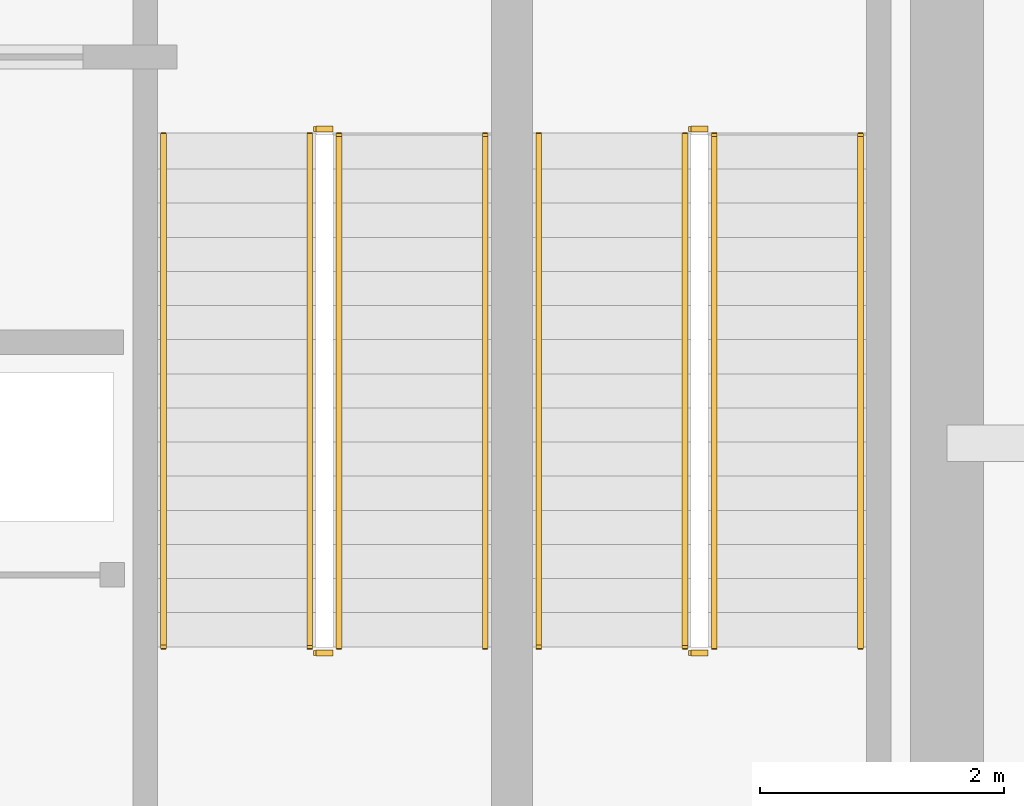
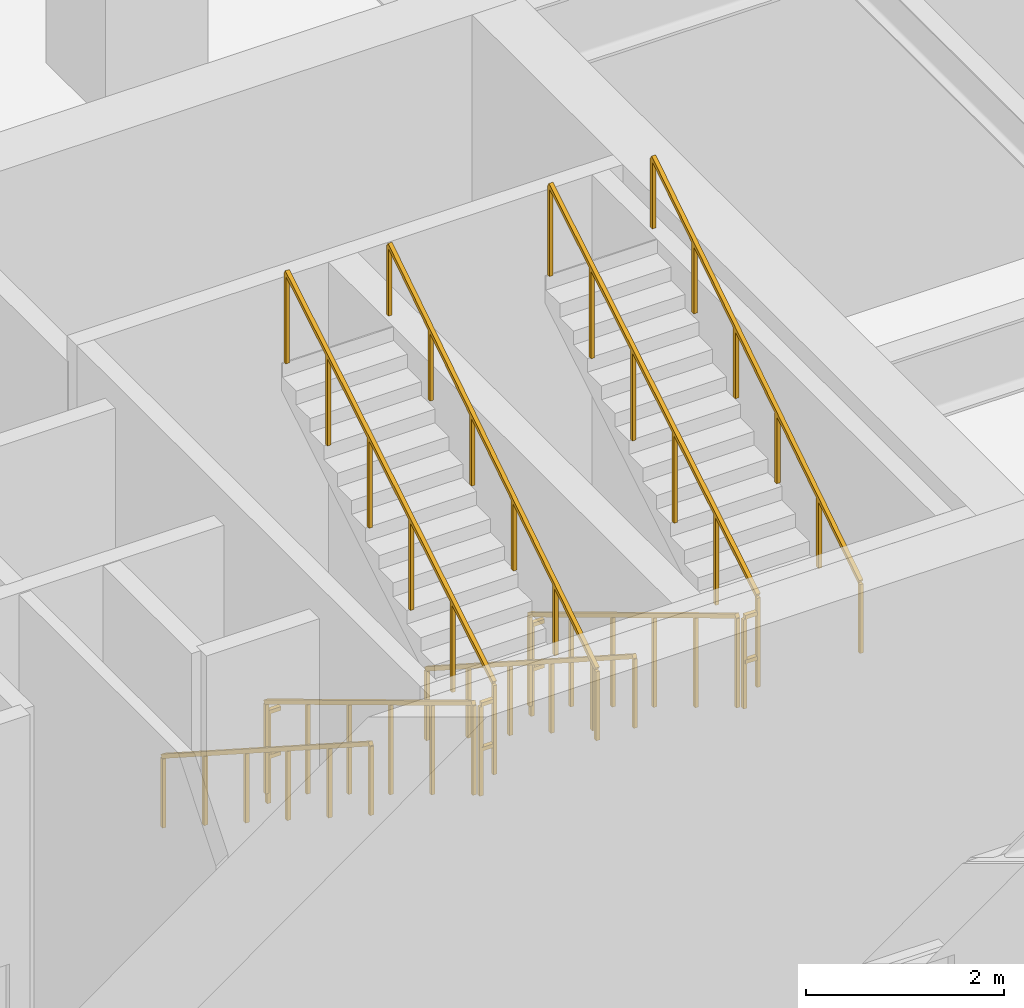
# One storey, part 22 of 24: 12 railings.
"""IFC4 building model written with IfcOpenShell, lengths in metres."""

from ifc_helpers import new_model, si_unit, derived_unit, direction, frame, origin, origin_2d, place, context, subcontext, project, spatial, rectangle, extrude, material, type_object, element, save


model = new_model("IFC4")

# Units and contexts
model_context = context("Model", 3, precision=1e-05, world=origin(), true_north=direction((0.0, 1.0)))
body_context = subcontext(model_context, "Body", "Model", "MODEL_VIEW")
ifc_project = project(units=[si_unit("LENGTHUNIT", "METRE"), si_unit("AREAUNIT", "SQUARE_METRE"), si_unit("VOLUMEUNIT", "CUBIC_METRE"), si_unit("PLANEANGLEUNIT", "RADIAN"), si_unit("MASSUNIT", "GRAM", prefix="KILO"), si_unit("THERMODYNAMICTEMPERATUREUNIT", "KELVIN"), si_unit("POWERUNIT", "WATT"), derived_unit("THERMALTRANSMITTANCEUNIT", [(si_unit("POWERUNIT", "WATT"), 1), (si_unit("AREAUNIT", "SQUARE_METRE"), -1), (si_unit("THERMODYNAMICTEMPERATUREUNIT", "KELVIN"), -1)])], contexts=[model_context])

# Site, building, storey
site_placement = place(None, origin())
site = spatial("IfcSite", under=ifc_project, at=site_placement, CompositionType="ELEMENT")
building_placement = place(site_placement, origin())
building = spatial("IfcBuilding", under=site, at=building_placement, Name="Zahravan Archway Hotel and Residences", CompositionType="ELEMENT")
storey_placement = place(building_placement, frame((0.0, 0.0, 10.800048828125)))
storey = spatial("IfcBuildingStorey", under=building, at=storey_placement, Name="L02", CompositionType="ELEMENT", Elevation=10.800048828125)

# Railings
ifc_material_1 = material(Name="Painted Tubular Steel", Category="steel")
railing_type_1 = type_object("IfcRailingType", Name="RL-STG-1150", PredefinedType="GUARDRAIL", material=ifc_material_1)
railing_1_placement = place(storey_placement, frame((44.570068359375, 9.72998046875, 0.168701171875)))
element("IfcRailing", 1, at=railing_1_placement, inside=storey, type_object=railing_type_1, Name="L02 ST-A2 stair guard 1", PredefinedType="GUARDRAIL", context=body_context, shape_type="SweptSolid", body=[
    extrude(rectangle(XDim=0.048095703125, YDim=0.048095703125, at=origin_2d()), frame((0.0, 0.0, 1.1259765625), z_axis=(0.0, -0.856476492594, 0.516186030065), x_axis=(1.0, 0.0, 0.0)), (0.0, 0.0, 1.0), 4.90380859375),
    extrude(rectangle(XDim=0.0419921875, YDim=0.0419921875, at=origin_2d()), origin(), (0.0, 0.0, 1.0), 1.101806640625),
    extrude(rectangle(XDim=0.0419921875, YDim=0.0419921875, at=origin_2d()), frame((0.0, -0.840087890625, 0.50634765625)), (0.0, 0.0, 1.0), 1.101806640625),
    extrude(rectangle(XDim=0.0419921875, YDim=0.0419921875, at=origin_2d()), frame((0.0, -1.679931640625, 1.012451171875)), (0.0, 0.0, 1.0), 1.101806640625),
    extrude(rectangle(XDim=0.0419921875, YDim=0.0419921875, at=origin_2d()), frame((0.0, -2.52001953125, 1.518798828125)), (0.0, 0.0, 1.0), 1.101806640625),
    extrude(rectangle(XDim=0.0419921875, YDim=0.0419921875, at=origin_2d()), frame((0.0, -3.35986328125, 2.02490234375)), (0.0, 0.0, 1.0), 1.101806640625),
    extrude(rectangle(XDim=0.0419921875, YDim=0.0419921875, at=origin_2d()), frame((0.0, -4.199951171875, 2.53125)), (0.0, 0.0, 1.0), 1.101806640625),
])
railing_2_placement = place(storey_placement, frame((44.6201171875, 5.47998046875, 2.699951171875)))
element("IfcRailing", 2, at=railing_2_placement, inside=storey, type_object=railing_type_1, Name="L02 ST-A2 stair guard 2", PredefinedType="GUARDRAIL", context=body_context, shape_type="SweptSolid", body=[
    extrude(rectangle(XDim=0.048095703125, YDim=0.048095703125, at=origin_2d()), frame((0.0, 0.0, 1.1259765625), z_axis=(1.0, 0.0, 0.0), x_axis=(0.0, 1.0, 0.0)), (0.0, 0.0, 1.0), 0.139892578125),
    extrude(rectangle(XDim=0.048095703125, YDim=0.048095703125, at=origin_2d()), frame((0.0, 0.0, 0.574951171875), z_axis=(1.0, 0.0, 0.0), x_axis=(0.0, 1.0, 0.0)), (0.0, 0.0, 1.0), 0.139892578125),
    extrude(rectangle(XDim=0.0419921875, YDim=0.0419921875, at=origin_2d()), origin(), (0.0, 0.0, 1.0), 1.101806640625),
])
railing_3_placement = place(storey_placement, frame((44.81005859375, 5.530029296875, 2.86865234375)))
element("IfcRailing", 3, at=railing_3_placement, inside=storey, type_object=railing_type_1, Name="L02 ST-A2 stair guard 3", PredefinedType="GUARDRAIL", context=body_context, shape_type="SweptSolid", body=[
    extrude(rectangle(XDim=0.048095703125, YDim=0.048095703125, at=origin_2d()), frame((0.0, 0.0, 1.1259765625), z_axis=(0.0, 0.856476492594, 0.516186030065), x_axis=(-1.0, 0.0, 0.0)), (0.0, 0.0, 1.0), 4.90380859375),
    extrude(rectangle(XDim=0.0419921875, YDim=0.0419921875, at=origin_2d()), origin(), (0.0, 0.0, 1.0), 1.101806640625),
    extrude(rectangle(XDim=0.0419921875, YDim=0.0419921875, at=origin_2d()), frame((0.0, 0.840087890625, 0.50634765625)), (0.0, 0.0, 1.0), 1.101806640625),
    extrude(rectangle(XDim=0.0419921875, YDim=0.0419921875, at=origin_2d()), frame((0.0, 1.679931640625, 1.012451171875)), (0.0, 0.0, 1.0), 1.101806640625),
    extrude(rectangle(XDim=0.0419921875, YDim=0.0419921875, at=origin_2d()), frame((0.0, 2.52001953125, 1.518798828125)), (0.0, 0.0, 1.0), 1.101806640625),
    extrude(rectangle(XDim=0.0419921875, YDim=0.0419921875, at=origin_2d()), frame((0.0, 3.35986328125, 2.02490234375)), (0.0, 0.0, 1.0), 1.101806640625),
    extrude(rectangle(XDim=0.0419921875, YDim=0.0419921875, at=origin_2d()), frame((0.0, 4.199951171875, 2.53125)), (0.0, 0.0, 1.0), 1.101806640625),
])
railing_4_placement = place(storey_placement, frame((44.6201171875, 9.780029296875, 0.0)))
element("IfcRailing", 4, at=railing_4_placement, inside=storey, type_object=railing_type_1, Name="L02 ST-A2 stair guard 4", PredefinedType="GUARDRAIL", context=body_context, shape_type="SweptSolid", body=[
    extrude(rectangle(XDim=0.048095703125, YDim=0.048095703125, at=origin_2d()), frame((0.0, 0.0, 1.1259765625), z_axis=(1.0, 0.0, 0.0), x_axis=(0.0, 1.0, 0.0)), (0.0, 0.0, 1.0), 0.139892578125),
    extrude(rectangle(XDim=0.048095703125, YDim=0.048095703125, at=origin_2d()), frame((0.0, 0.0, 0.574951171875), z_axis=(1.0, 0.0, 0.0), x_axis=(0.0, 1.0, 0.0)), (0.0, 0.0, 1.0), 0.139892578125),
    extrude(rectangle(XDim=0.0419921875, YDim=0.0419921875, at=origin_2d()), origin(), (0.0, 0.0, 1.0), 1.101806640625),
])
railing_5_placement = place(storey_placement, frame((47.64990234375, 9.72998046875, 0.168701171875)))
element("IfcRailing", 5, at=railing_5_placement, inside=storey, type_object=railing_type_1, Name="L02 ST-A3 stair guard 1", PredefinedType="GUARDRAIL", context=body_context, shape_type="SweptSolid", body=[
    extrude(rectangle(XDim=0.048095703125, YDim=0.048095703125, at=origin_2d()), frame((0.0, 0.0, 1.1259765625), z_axis=(0.0, -0.856476492594, 0.516186030065), x_axis=(1.0, 0.0, 0.0)), (0.0, 0.0, 1.0), 4.90380859375),
    extrude(rectangle(XDim=0.0419921875, YDim=0.0419921875, at=origin_2d()), origin(), (0.0, 0.0, 1.0), 1.101806640625),
    extrude(rectangle(XDim=0.0419921875, YDim=0.0419921875, at=origin_2d()), frame((0.0, -0.840087890625, 0.50634765625)), (0.0, 0.0, 1.0), 1.101806640625),
    extrude(rectangle(XDim=0.0419921875, YDim=0.0419921875, at=origin_2d()), frame((0.0, -1.679931640625, 1.012451171875)), (0.0, 0.0, 1.0), 1.101806640625),
    extrude(rectangle(XDim=0.0419921875, YDim=0.0419921875, at=origin_2d()), frame((0.0, -2.52001953125, 1.518798828125)), (0.0, 0.0, 1.0), 1.101806640625),
    extrude(rectangle(XDim=0.0419921875, YDim=0.0419921875, at=origin_2d()), frame((0.0, -3.35986328125, 2.02490234375)), (0.0, 0.0, 1.0), 1.101806640625),
    extrude(rectangle(XDim=0.0419921875, YDim=0.0419921875, at=origin_2d()), frame((0.0, -4.199951171875, 2.53125)), (0.0, 0.0, 1.0), 1.101806640625),
])
railing_6_placement = place(storey_placement, frame((47.699951171875, 5.47998046875, 2.699951171875)))
element("IfcRailing", 6, at=railing_6_placement, inside=storey, type_object=railing_type_1, Name="L02 ST-A3 stair guard 2", PredefinedType="GUARDRAIL", context=body_context, shape_type="SweptSolid", body=[
    extrude(rectangle(XDim=0.048095703125, YDim=0.048095703125, at=origin_2d()), frame((0.0, 0.0, 1.1259765625), z_axis=(1.0, 0.0, 0.0), x_axis=(0.0, 1.0, 0.0)), (0.0, 0.0, 1.0), 0.14013671875),
    extrude(rectangle(XDim=0.048095703125, YDim=0.048095703125, at=origin_2d()), frame((0.0, 0.0, 0.574951171875), z_axis=(1.0, 0.0, 0.0), x_axis=(0.0, 1.0, 0.0)), (0.0, 0.0, 1.0), 0.14013671875),
    extrude(rectangle(XDim=0.0419921875, YDim=0.0419921875, at=origin_2d()), origin(), (0.0, 0.0, 1.0), 1.101806640625),
])
railing_7_placement = place(storey_placement, frame((47.889892578125, 5.530029296875, 2.86865234375)))
element("IfcRailing", 7, at=railing_7_placement, inside=storey, type_object=railing_type_1, Name="L02 ST-A3 stair guard 3", PredefinedType="GUARDRAIL", context=body_context, shape_type="SweptSolid", body=[
    extrude(rectangle(XDim=0.048095703125, YDim=0.048095703125, at=origin_2d()), frame((0.0, 0.0, 1.1259765625), z_axis=(0.0, 0.856476492594, 0.516186030065), x_axis=(-1.0, 0.0, 0.0)), (0.0, 0.0, 1.0), 4.90380859375),
    extrude(rectangle(XDim=0.0419921875, YDim=0.0419921875, at=origin_2d()), origin(), (0.0, 0.0, 1.0), 1.101806640625),
    extrude(rectangle(XDim=0.0419921875, YDim=0.0419921875, at=origin_2d()), frame((0.0, 0.840087890625, 0.50634765625)), (0.0, 0.0, 1.0), 1.101806640625),
    extrude(rectangle(XDim=0.0419921875, YDim=0.0419921875, at=origin_2d()), frame((0.0, 1.679931640625, 1.012451171875)), (0.0, 0.0, 1.0), 1.101806640625),
    extrude(rectangle(XDim=0.0419921875, YDim=0.0419921875, at=origin_2d()), frame((0.0, 2.52001953125, 1.518798828125)), (0.0, 0.0, 1.0), 1.101806640625),
    extrude(rectangle(XDim=0.0419921875, YDim=0.0419921875, at=origin_2d()), frame((0.0, 3.35986328125, 2.02490234375)), (0.0, 0.0, 1.0), 1.101806640625),
    extrude(rectangle(XDim=0.0419921875, YDim=0.0419921875, at=origin_2d()), frame((0.0, 4.199951171875, 2.53125)), (0.0, 0.0, 1.0), 1.101806640625),
])
railing_8_placement = place(storey_placement, frame((47.699951171875, 9.780029296875, 0.0)))
element("IfcRailing", 8, at=railing_8_placement, inside=storey, type_object=railing_type_1, Name="L02 ST-A3 stair guard 4", PredefinedType="GUARDRAIL", context=body_context, shape_type="SweptSolid", body=[
    extrude(rectangle(XDim=0.048095703125, YDim=0.048095703125, at=origin_2d()), frame((0.0, 0.0, 1.1259765625), z_axis=(1.0, 0.0, 0.0), x_axis=(0.0, 1.0, 0.0)), (0.0, 0.0, 1.0), 0.14013671875),
    extrude(rectangle(XDim=0.048095703125, YDim=0.048095703125, at=origin_2d()), frame((0.0, 0.0, 0.574951171875), z_axis=(1.0, 0.0, 0.0), x_axis=(0.0, 1.0, 0.0)), (0.0, 0.0, 1.0), 0.14013671875),
    extrude(rectangle(XDim=0.0419921875, YDim=0.0419921875, at=origin_2d()), origin(), (0.0, 0.0, 1.0), 1.101806640625),
])
ifc_material_2 = material(Name="Brushed Stainless Steel", Category="steel")
railing_type_2 = type_object("IfcRailingType", Name="RL-STH-900", PredefinedType="HANDRAIL", material=ifc_material_2)
railing_9_placement = place(storey_placement, frame((43.3701171875, 9.72998046875, 0.168701171875)))
element("IfcRailing", 9, at=railing_9_placement, inside=storey, type_object=railing_type_2, Name="L02 ST-A2 stair handrail 1", PredefinedType="HANDRAIL", context=body_context, shape_type="SweptSolid", body=[
    extrude(rectangle(XDim=0.048095703125, YDim=0.048095703125, at=origin_2d()), frame((0.0, 0.0, 0.8759765625), z_axis=(0.0, -0.841180064094, 0.540755119968), x_axis=(1.0, 0.0, 0.0)), (0.0, 0.0, 1.0), 4.992919921875),
    extrude(rectangle(XDim=0.0419921875, YDim=0.0419921875, at=origin_2d()), origin(), (0.0, 0.0, 1.0), 0.851806640625),
    extrude(rectangle(XDim=0.0419921875, YDim=0.0419921875, at=origin_2d()), frame((0.0, -0.840087890625, 0.5400390625)), (0.0, 0.0, 1.0), 0.851806640625),
    extrude(rectangle(XDim=0.0419921875, YDim=0.0419921875, at=origin_2d()), frame((0.0, -1.679931640625, 1.080078125)), (0.0, 0.0, 1.0), 0.851806640625),
    extrude(rectangle(XDim=0.0419921875, YDim=0.0419921875, at=origin_2d()), frame((0.0, -2.52001953125, 1.619873046875)), (0.0, 0.0, 1.0), 0.851806640625),
    extrude(rectangle(XDim=0.0419921875, YDim=0.0419921875, at=origin_2d()), frame((0.0, -3.35986328125, 2.159912109375)), (0.0, 0.0, 1.0), 0.851806640625),
    extrude(rectangle(XDim=0.0419921875, YDim=0.0419921875, at=origin_2d()), frame((0.0, -4.199951171875, 2.699951171875)), (0.0, 0.0, 1.0), 0.851806640625),
])
railing_10_placement = place(storey_placement, frame((46.010009765625, 5.530029296875, 2.86865234375)))
element("IfcRailing", 10, at=railing_10_placement, inside=storey, type_object=railing_type_2, Name="L02 ST-A2 stair handrail 2", PredefinedType="HANDRAIL", context=body_context, shape_type="SweptSolid", body=[
    extrude(rectangle(XDim=0.048095703125, YDim=0.048095703125, at=origin_2d()), frame((0.0, 0.0, 0.8759765625), z_axis=(0.0, 0.841180064094, 0.540755119968), x_axis=(-1.0, 0.0, 0.0)), (0.0, 0.0, 1.0), 4.992919921875),
    extrude(rectangle(XDim=0.0419921875, YDim=0.0419921875, at=origin_2d()), origin(), (0.0, 0.0, 1.0), 0.851806640625),
    extrude(rectangle(XDim=0.0419921875, YDim=0.0419921875, at=origin_2d()), frame((0.0, 0.840087890625, 0.5400390625)), (0.0, 0.0, 1.0), 0.851806640625),
    extrude(rectangle(XDim=0.0419921875, YDim=0.0419921875, at=origin_2d()), frame((0.0, 1.679931640625, 1.080078125)), (0.0, 0.0, 1.0), 0.851806640625),
    extrude(rectangle(XDim=0.0419921875, YDim=0.0419921875, at=origin_2d()), frame((0.0, 2.52001953125, 1.619873046875)), (0.0, 0.0, 1.0), 0.851806640625),
    extrude(rectangle(XDim=0.0419921875, YDim=0.0419921875, at=origin_2d()), frame((0.0, 3.35986328125, 2.159912109375)), (0.0, 0.0, 1.0), 0.851806640625),
    extrude(rectangle(XDim=0.0419921875, YDim=0.0419921875, at=origin_2d()), frame((0.0, 4.199951171875, 2.699951171875)), (0.0, 0.0, 1.0), 0.851806640625),
])
railing_11_placement = place(storey_placement, frame((46.449951171875, 9.72998046875, 0.168701171875)))
element("IfcRailing", 11, at=railing_11_placement, inside=storey, type_object=railing_type_2, Name="L02 ST-A3 stair handrail 1", PredefinedType="HANDRAIL", context=body_context, shape_type="SweptSolid", body=[
    extrude(rectangle(XDim=0.048095703125, YDim=0.048095703125, at=origin_2d()), frame((0.0, 0.0, 0.8759765625), z_axis=(0.0, -0.841180064094, 0.540755119968), x_axis=(1.0, 0.0, 0.0)), (0.0, 0.0, 1.0), 4.992919921875),
    extrude(rectangle(XDim=0.0419921875, YDim=0.0419921875, at=origin_2d()), origin(), (0.0, 0.0, 1.0), 0.851806640625),
    extrude(rectangle(XDim=0.0419921875, YDim=0.0419921875, at=origin_2d()), frame((0.0, -0.840087890625, 0.5400390625)), (0.0, 0.0, 1.0), 0.851806640625),
    extrude(rectangle(XDim=0.0419921875, YDim=0.0419921875, at=origin_2d()), frame((0.0, -1.679931640625, 1.080078125)), (0.0, 0.0, 1.0), 0.851806640625),
    extrude(rectangle(XDim=0.0419921875, YDim=0.0419921875, at=origin_2d()), frame((0.0, -2.52001953125, 1.619873046875)), (0.0, 0.0, 1.0), 0.851806640625),
    extrude(rectangle(XDim=0.0419921875, YDim=0.0419921875, at=origin_2d()), frame((0.0, -3.35986328125, 2.159912109375)), (0.0, 0.0, 1.0), 0.851806640625),
    extrude(rectangle(XDim=0.0419921875, YDim=0.0419921875, at=origin_2d()), frame((0.0, -4.199951171875, 2.699951171875)), (0.0, 0.0, 1.0), 0.851806640625),
])
railing_12_placement = place(storey_placement, frame((49.090087890625, 5.530029296875, 2.86865234375)))
element("IfcRailing", 12, at=railing_12_placement, inside=storey, type_object=railing_type_2, Name="L02 ST-A3 stair handrail 2", PredefinedType="HANDRAIL", context=body_context, shape_type="SweptSolid", body=[
    extrude(rectangle(XDim=0.048095703125, YDim=0.048095703125, at=origin_2d()), frame((0.0, 0.0, 0.8759765625), z_axis=(0.0, 0.841180064094, 0.540755119968), x_axis=(-1.0, 0.0, 0.0)), (0.0, 0.0, 1.0), 4.992919921875),
    extrude(rectangle(XDim=0.0419921875, YDim=0.0419921875, at=origin_2d()), origin(), (0.0, 0.0, 1.0), 0.851806640625),
    extrude(rectangle(XDim=0.0419921875, YDim=0.0419921875, at=origin_2d()), frame((0.0, 0.840087890625, 0.5400390625)), (0.0, 0.0, 1.0), 0.851806640625),
    extrude(rectangle(XDim=0.0419921875, YDim=0.0419921875, at=origin_2d()), frame((0.0, 1.679931640625, 1.080078125)), (0.0, 0.0, 1.0), 0.851806640625),
    extrude(rectangle(XDim=0.0419921875, YDim=0.0419921875, at=origin_2d()), frame((0.0, 2.52001953125, 1.619873046875)), (0.0, 0.0, 1.0), 0.851806640625),
    extrude(rectangle(XDim=0.0419921875, YDim=0.0419921875, at=origin_2d()), frame((0.0, 3.35986328125, 2.159912109375)), (0.0, 0.0, 1.0), 0.851806640625),
    extrude(rectangle(XDim=0.0419921875, YDim=0.0419921875, at=origin_2d()), frame((0.0, 4.199951171875, 2.699951171875)), (0.0, 0.0, 1.0), 0.851806640625),
])

save(model, "model.ifc")
